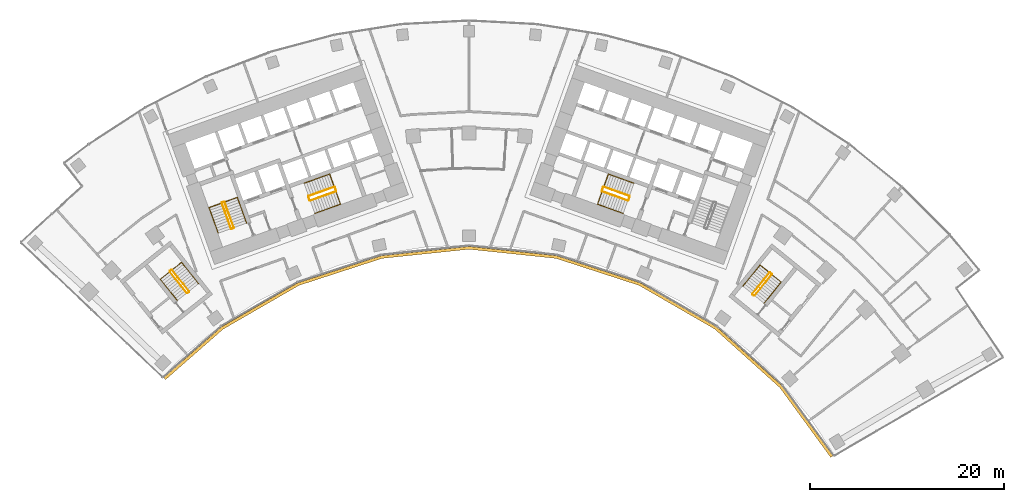
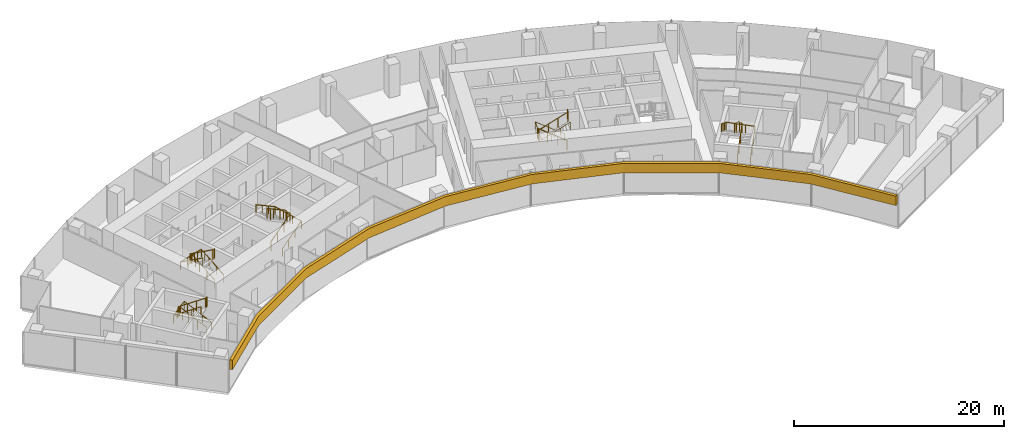
# One storey, part 18 of 19: 15 railings, 1 covering.
"""IFC4 building model written with IfcOpenShell, lengths in metres."""

from ifc_helpers import new_model, si_unit, direction, frame, origin, origin_2d, place, context, subcontext, project, spatial, polyline, circle, outline, extrude, material, layer, layer_set, type_object, element, save


model = new_model("IFC4")

# Units and contexts
model_context = context("Model", 3, precision=1e-05, world=origin(), true_north=direction((0.0, 1.0)))
body_context = subcontext(model_context, "Body", "Model", "MODEL_VIEW")
ifc_project = project(units=[si_unit("LENGTHUNIT", "METRE"), si_unit("AREAUNIT", "SQUARE_METRE"), si_unit("VOLUMEUNIT", "CUBIC_METRE"), si_unit("PLANEANGLEUNIT", "RADIAN"), si_unit("MASSUNIT", "GRAM", prefix="KILO")], contexts=[model_context])

# Site, building, storey
site_placement = place(None, origin())
site = spatial("IfcSite", under=ifc_project, at=site_placement, CompositionType="ELEMENT")
building_placement = place(site_placement, origin())
building = spatial("IfcBuilding", under=site, at=building_placement, Name="Stone Belt Terrace Tower", CompositionType="ELEMENT")
storey_placement = place(building_placement, frame((0.0, 0.0, 128.800048828125)))
storey = spatial("IfcBuildingStorey", under=building, at=storey_placement, Name="L31", CompositionType="ELEMENT", Elevation=128.800048828125)

# Railings
ifc_material_1 = material(Name="Structural steel C345", Category="steel")
railing_type_1 = type_object("IfcRailingType", Name="Stair guard 1100", PredefinedType="GUARDRAIL", material=ifc_material_1)
railing_1_placement = place(storey_placement, frame((-24.2119140625, 45.276123046875, 0.172607421875)))
element("IfcRailing", 1, at=railing_1_placement, inside=storey, type_object=railing_type_1, Name="L31 ST1A stair guard 1", PredefinedType="GUARDRAIL", context=body_context, shape_type="SweptSolid", body=[
    extrude(circle(Radius=0.02392578125, at=origin_2d()), frame((0.0, 0.0, 1.076171875), z_axis=(-0.288228637646, 0.800791768495, 0.525030280985), x_axis=(-0.940908529223, -0.338660803216, 0.0)), (0.0, 0.0, 1.0), 3.289794921875),
    extrude(circle(Radius=0.02392578125, at=origin_2d()), frame((-0.9482421875, 2.634521484375, 2.80322265625), z_axis=(-0.905209821074, 0.424964916, 0.0), x_axis=(-0.424964916, -0.905209821074, 0.0)), (0.0, 0.0, 1.0), 0.070556640625),
    extrude(circle(Radius=0.02392578125, at=origin_2d()), frame((-1.01220703125, 2.66455078125, 2.80322265625), z_axis=(-0.941105063269, -0.338114270461, 0.0), x_axis=(0.338114270461, -0.941105063269, 0.0)), (0.0, 0.0, 1.0), 0.199951171875),
    extrude(circle(Radius=0.02099609375, at=origin_2d()), origin(), (0.0, 0.0, 1.0), 1.052001953125),
    extrude(circle(Radius=0.02099609375, at=origin_2d()), frame((-0.316162109375, 0.878173828125, 0.57568359375)), (0.0, 0.0, 1.0), 1.052001953125),
    extrude(circle(Radius=0.02099609375, at=origin_2d()), frame((-0.632080078125, 1.75634765625, 1.151611328125)), (0.0, 0.0, 1.0), 1.052001953125),
    extrude(circle(Radius=0.02099609375, at=origin_2d()), frame((-0.9482421875, 2.634521484375, 1.727294921875)), (0.0, 0.0, 1.0), 1.052001953125),
    extrude(circle(Radius=0.02099609375, at=origin_2d()), frame((-1.01220703125, 2.66455078125, 1.727294921875)), (0.0, 0.0, 1.0), 1.052001953125),
    extrude(circle(Radius=0.02099609375, at=origin_2d()), frame((-1.200439453125, 2.596923828125, 1.727294921875)), (0.0, 0.0, 1.0), 1.052001953125),
])
railing_2_placement = place(storey_placement, frame((-25.4423828125, 47.80908203125, 2.07275390625)))
element("IfcRailing", 2, at=railing_2_placement, inside=storey, type_object=railing_type_1, Name="L31 ST1A stair guard 2", PredefinedType="GUARDRAIL", context=body_context, shape_type="SweptSolid", body=[
    extrude(circle(Radius=0.02392578125, at=origin_2d()), frame((0.0, 0.0, 1.076171875), z_axis=(0.288228637646, -0.800791768495, 0.525030280985), x_axis=(0.940908529223, 0.338660803216, 0.0)), (0.0, 0.0, 1.0), 3.289794921875),
    extrude(circle(Radius=0.02392578125, at=origin_2d()), frame((0.9482421875, -2.634521484375, 2.80322265625), z_axis=(0.903878284585, -0.427789722475, 0.0), x_axis=(0.427789722475, 0.903878284585, 0.0)), (0.0, 0.0, 1.0), 0.07080078125),
    extrude(circle(Radius=0.02392578125, at=origin_2d()), frame((1.01220703125, -2.664794921875, 2.80322265625), z_axis=(0.940575576748, 0.339584429008, 0.0), x_axis=(-0.339584429008, 0.940575576748, 0.0)), (0.0, 0.0, 1.0), 0.199951171875),
    extrude(circle(Radius=0.02099609375, at=origin_2d()), origin(), (0.0, 0.0, 1.0), 1.052001953125),
    extrude(circle(Radius=0.02099609375, at=origin_2d()), frame((0.316162109375, -0.878173828125, 0.57568359375)), (0.0, 0.0, 1.0), 1.052001953125),
    extrude(circle(Radius=0.02099609375, at=origin_2d()), frame((0.632080078125, -1.75634765625, 1.151611328125)), (0.0, 0.0, 1.0), 1.052001953125),
    extrude(circle(Radius=0.02099609375, at=origin_2d()), frame((0.9482421875, -2.634521484375, 1.727294921875)), (0.0, 0.0, 1.0), 1.052001953125),
    extrude(circle(Radius=0.02099609375, at=origin_2d()), frame((1.01220703125, -2.664794921875, 1.727294921875)), (0.0, 0.0, 1.0), 1.052001953125),
    extrude(circle(Radius=0.02099609375, at=origin_2d()), frame((1.2001953125, -2.596923828125, 1.727294921875)), (0.0, 0.0, 1.0), 1.052001953125),
])
railing_3_placement = place(storey_placement, frame((-16.33837890625, 48.056640625, 0.172607421875)))
element("IfcRailing", 3, at=railing_3_placement, inside=storey, type_object=railing_type_1, Name="L31 ST2A stair guard 1", PredefinedType="GUARDRAIL", context=body_context, shape_type="SweptSolid", body=[
    extrude(circle(Radius=0.02392578125, at=origin_2d()), frame((0.0, 0.0, 1.076171875), z_axis=(0.800808895155, 0.288160591223, 0.52504150989), x_axis=(-0.338583606334, 0.940936311087, 0.0)), (0.0, 0.0, 1.0), 3.289794921875),
    extrude(circle(Radius=0.02392578125, at=origin_2d()), frame((2.634521484375, 0.947998046875, 2.80322265625), z_axis=(0.427789722475, 0.903878284585, 0.0), x_axis=(-0.903878284585, 0.427789722475, 0.0)), (0.0, 0.0, 1.0), 0.07080078125),
    extrude(circle(Radius=0.02392578125, at=origin_2d()), frame((2.664794921875, 1.011962890625, 2.80322265625), z_axis=(-0.338654645739, 0.940910745459, 0.0), x_axis=(-0.940910745459, -0.338654645739, 0.0)), (0.0, 0.0, 1.0), 0.400146484375),
    extrude(circle(Radius=0.02099609375, at=origin_2d()), origin(), (0.0, 0.0, 1.0), 1.052001953125),
    extrude(circle(Radius=0.02099609375, at=origin_2d()), frame((0.878173828125, 0.31591796875, 0.57568359375)), (0.0, 0.0, 1.0), 1.052001953125),
    extrude(circle(Radius=0.02099609375, at=origin_2d()), frame((1.75634765625, 0.632080078125, 1.151611328125)), (0.0, 0.0, 1.0), 1.052001953125),
    extrude(circle(Radius=0.02099609375, at=origin_2d()), frame((2.634521484375, 0.947998046875, 1.727294921875)), (0.0, 0.0, 1.0), 1.052001953125),
    extrude(circle(Radius=0.02099609375, at=origin_2d()), frame((2.664794921875, 1.011962890625, 1.727294921875)), (0.0, 0.0, 1.0), 1.052001953125),
    extrude(circle(Radius=0.02099609375, at=origin_2d()), frame((2.529296875, 1.388427734375, 1.727294921875)), (0.0, 0.0, 1.0), 1.052001953125),
])
railing_4_placement = place(storey_placement, frame((-13.873046875, 49.47509765625, 2.07275390625)))
element("IfcRailing", 4, at=railing_4_placement, inside=storey, type_object=railing_type_1, Name="L31 ST2A stair guard 2", PredefinedType="GUARDRAIL", context=body_context, shape_type="SweptSolid", body=[
    extrude(circle(Radius=0.02392578125, at=origin_2d()), frame((0.0, 0.0, 1.076171875), z_axis=(-0.800808895155, -0.288160591223, 0.52504150989), x_axis=(0.338583606334, -0.940936311087, 0.0)), (0.0, 0.0, 1.0), 3.289794921875),
    extrude(circle(Radius=0.02392578125, at=origin_2d()), frame((-2.634521484375, -0.947998046875, 2.80322265625), z_axis=(-0.427789722475, -0.903878284585, 0.0), x_axis=(0.903878284585, -0.427789722475, 0.0)), (0.0, 0.0, 1.0), 0.07080078125),
    extrude(circle(Radius=0.02392578125, at=origin_2d()), frame((-2.664794921875, -1.011962890625, 2.80322265625), z_axis=(0.338654645739, -0.940910745459, 0.0), x_axis=(0.940910745459, 0.338654645739, 0.0)), (0.0, 0.0, 1.0), 0.400146484375),
    extrude(circle(Radius=0.02099609375, at=origin_2d()), origin(), (0.0, 0.0, 1.0), 1.052001953125),
    extrude(circle(Radius=0.02099609375, at=origin_2d()), frame((-0.878173828125, -0.31591796875, 0.57568359375)), (0.0, 0.0, 1.0), 1.052001953125),
    extrude(circle(Radius=0.02099609375, at=origin_2d()), frame((-1.75634765625, -0.632080078125, 1.151611328125)), (0.0, 0.0, 1.0), 1.052001953125),
    extrude(circle(Radius=0.02099609375, at=origin_2d()), frame((-2.634521484375, -0.947998046875, 1.727294921875)), (0.0, 0.0, 1.0), 1.052001953125),
    extrude(circle(Radius=0.02099609375, at=origin_2d()), frame((-2.664794921875, -1.011962890625, 1.727294921875)), (0.0, 0.0, 1.0), 1.052001953125),
    extrude(circle(Radius=0.02099609375, at=origin_2d()), frame((-2.529296875, -1.388427734375, 1.727294921875)), (0.0, 0.0, 1.0), 1.052001953125),
])
railing_5_placement = place(storey_placement, frame((16.507568359375, 48.527099609375, 0.172607421875)))
element("IfcRailing", 5, at=railing_5_placement, inside=storey, type_object=railing_type_1, Name="L31 ST2B stair guard 1", PredefinedType="GUARDRAIL", context=body_context, shape_type="SweptSolid", body=[
    extrude(circle(Radius=0.02392578125, at=origin_2d()), frame((0.0, 0.0, 1.076171875), z_axis=(-0.800808895155, 0.288160591223, 0.52504150989), x_axis=(-0.338583606334, -0.940936311087, 0.0)), (0.0, 0.0, 1.0), 3.289794921875),
    extrude(circle(Radius=0.02392578125, at=origin_2d()), frame((-2.634521484375, 0.947998046875, 2.80322265625), z_axis=(-0.905209821074, -0.424964916, 0.0), x_axis=(0.424964916, -0.905209821074, 0.0)), (0.0, 0.0, 1.0), 0.070556640625),
    extrude(circle(Radius=0.02392578125, at=origin_2d()), frame((-2.698486328125, 0.91796875, 2.80322265625), z_axis=(-0.338654645739, -0.940910745459, 0.0), x_axis=(0.940910745459, -0.338654645739, 0.0)), (0.0, 0.0, 1.0), 0.400146484375),
    extrude(circle(Radius=0.02099609375, at=origin_2d()), origin(), (0.0, 0.0, 1.0), 1.052001953125),
    extrude(circle(Radius=0.02099609375, at=origin_2d()), frame((-0.878173828125, 0.31591796875, 0.57568359375)), (0.0, 0.0, 1.0), 1.052001953125),
    extrude(circle(Radius=0.02099609375, at=origin_2d()), frame((-1.75634765625, 0.632080078125, 1.151611328125)), (0.0, 0.0, 1.0), 1.052001953125),
    extrude(circle(Radius=0.02099609375, at=origin_2d()), frame((-2.634521484375, 0.947998046875, 1.727294921875)), (0.0, 0.0, 1.0), 1.052001953125),
    extrude(circle(Radius=0.02099609375, at=origin_2d()), frame((-2.698486328125, 0.91796875, 1.727294921875)), (0.0, 0.0, 1.0), 1.052001953125),
    extrude(circle(Radius=0.02099609375, at=origin_2d()), frame((-2.833984375, 0.54150390625, 1.727294921875)), (0.0, 0.0, 1.0), 1.052001953125),
])
railing_6_placement = place(storey_placement, frame((13.703857421875, 49.004638671875, 2.07275390625)))
element("IfcRailing", 6, at=railing_6_placement, inside=storey, type_object=railing_type_1, Name="L31 ST2B stair guard 2", PredefinedType="GUARDRAIL", context=body_context, shape_type="SweptSolid", body=[
    extrude(circle(Radius=0.02392578125, at=origin_2d()), frame((0.0, 0.0, 1.076171875), z_axis=(0.800808895155, -0.288160591223, 0.52504150989), x_axis=(0.338583606334, 0.940936311087, 0.0)), (0.0, 0.0, 1.0), 3.289794921875),
    extrude(circle(Radius=0.02392578125, at=origin_2d()), frame((2.634521484375, -0.947998046875, 2.80322265625), z_axis=(0.905209821074, 0.424964916, 0.0), x_axis=(-0.424964916, 0.905209821074, 0.0)), (0.0, 0.0, 1.0), 0.070556640625),
    extrude(circle(Radius=0.02392578125, at=origin_2d()), frame((2.698486328125, -0.91796875, 2.80322265625), z_axis=(0.338654645739, 0.940910745459, 0.0), x_axis=(-0.940910745459, 0.338654645739, 0.0)), (0.0, 0.0, 1.0), 0.400146484375),
    extrude(circle(Radius=0.02099609375, at=origin_2d()), origin(), (0.0, 0.0, 1.0), 1.052001953125),
    extrude(circle(Radius=0.02099609375, at=origin_2d()), frame((0.878173828125, -0.31591796875, 0.57568359375)), (0.0, 0.0, 1.0), 1.052001953125),
    extrude(circle(Radius=0.02099609375, at=origin_2d()), frame((1.75634765625, -0.632080078125, 1.151611328125)), (0.0, 0.0, 1.0), 1.052001953125),
    extrude(circle(Radius=0.02099609375, at=origin_2d()), frame((2.634521484375, -0.947998046875, 1.727294921875)), (0.0, 0.0, 1.0), 1.052001953125),
    extrude(circle(Radius=0.02099609375, at=origin_2d()), frame((2.698486328125, -0.91796875, 1.727294921875)), (0.0, 0.0, 1.0), 1.052001953125),
    extrude(circle(Radius=0.02099609375, at=origin_2d()), frame((2.833984375, -0.54150390625, 1.727294921875)), (0.0, 0.0, 1.0), 1.052001953125),
])
railing_7_placement = place(storey_placement, frame((-28.814208984375, 38.734619140625, 0.172607421875)))
element("IfcRailing", 7, at=railing_7_placement, inside=storey, type_object=railing_type_1, Name="L31 ST3A stair guard 1", PredefinedType="GUARDRAIL", context=body_context, shape_type="SweptSolid", body=[
    extrude(circle(Radius=0.02392578125, at=origin_2d()), frame((0.0, 0.0, 1.076171875), z_axis=(-0.530306321799, 0.665665785969, 0.525037395288), x_axis=(-0.782143211408, -0.623098705543, 0.0)), (0.0, 0.0, 1.0), 3.289794921875),
    extrude(circle(Radius=0.02392578125, at=origin_2d()), frame((-1.74462890625, 2.18994140625, 2.80322265625), z_axis=(-0.993883734674, 0.110431526075, 0.0), x_axis=(-0.110431526075, -0.993883734674, 0.0)), (0.0, 0.0, 1.0), 0.07080078125),
    extrude(circle(Radius=0.02392578125, at=origin_2d()), frame((-1.81494140625, 2.19775390625, 2.80322265625), z_axis=(-0.782533463299, -0.622608527742, 0.0), x_axis=(0.622608527742, -0.782533463299, 0.0)), (0.0, 0.0, 1.0), 0.199951171875),
    extrude(circle(Radius=0.02099609375, at=origin_2d()), origin(), (0.0, 0.0, 1.0), 1.052001953125),
    extrude(circle(Radius=0.02099609375, at=origin_2d()), frame((-0.58154296875, 0.72998046875, 0.57568359375)), (0.0, 0.0, 1.0), 1.052001953125),
    extrude(circle(Radius=0.02099609375, at=origin_2d()), frame((-1.1630859375, 1.4599609375, 1.151611328125)), (0.0, 0.0, 1.0), 1.052001953125),
    extrude(circle(Radius=0.02099609375, at=origin_2d()), frame((-1.74462890625, 2.18994140625, 1.727294921875)), (0.0, 0.0, 1.0), 1.052001953125),
    extrude(circle(Radius=0.02099609375, at=origin_2d()), frame((-1.81494140625, 2.19775390625, 1.727294921875)), (0.0, 0.0, 1.0), 1.052001953125),
    extrude(circle(Radius=0.02099609375, at=origin_2d()), frame((-1.971435546875, 2.0732421875, 1.727294921875)), (0.0, 0.0, 1.0), 1.052001953125),
])
railing_8_placement = place(storey_placement, frame((-30.793701171875, 40.737548828125, 2.07275390625)))
element("IfcRailing", 8, at=railing_8_placement, inside=storey, type_object=railing_type_1, Name="L31 ST3A stair guard 2", PredefinedType="GUARDRAIL", context=body_context, shape_type="SweptSolid", body=[
    extrude(circle(Radius=0.02392578125, at=origin_2d()), frame((0.0, 0.0, 1.076171875), z_axis=(0.530359659125, -0.665639588968, 0.525016732659), x_axis=(0.782100716982, 0.62315204284, 0.0)), (0.0, 0.0, 1.0), 3.2900390625),
    extrude(circle(Radius=0.02392578125, at=origin_2d()), frame((1.744873046875, -2.18994140625, 2.80322265625), z_axis=(0.993499272973, -0.113838458361, 0.0), x_axis=(0.113838458361, 0.993499272973, 0.0)), (0.0, 0.0, 1.0), 0.07080078125),
    extrude(circle(Radius=0.02392578125, at=origin_2d()), frame((1.815185546875, -2.197998046875, 2.80322265625), z_axis=(0.781464082609, 0.623950228458, 0.0), x_axis=(-0.623950228458, 0.781464082609, 0.0)), (0.0, 0.0, 1.0), 0.199951171875),
    extrude(circle(Radius=0.02099609375, at=origin_2d()), origin(), (0.0, 0.0, 1.0), 1.052001953125),
    extrude(circle(Radius=0.02099609375, at=origin_2d()), frame((0.58154296875, -0.72998046875, 0.57568359375)), (0.0, 0.0, 1.0), 1.052001953125),
    extrude(circle(Radius=0.02099609375, at=origin_2d()), frame((1.163330078125, -1.4599609375, 1.151611328125)), (0.0, 0.0, 1.0), 1.052001953125),
    extrude(circle(Radius=0.02099609375, at=origin_2d()), frame((1.744873046875, -2.18994140625, 1.727294921875)), (0.0, 0.0, 1.0), 1.052001953125),
    extrude(circle(Radius=0.02099609375, at=origin_2d()), frame((1.815185546875, -2.197998046875, 1.727294921875)), (0.0, 0.0, 1.0), 1.052001953125),
    extrude(circle(Radius=0.02099609375, at=origin_2d()), frame((1.971435546875, -2.0732421875, 1.727294921875)), (0.0, 0.0, 1.0), 1.052001953125),
])
railing_9_placement = place(storey_placement, frame((29.39794921875, 38.281982421875, 0.172607421875)))
element("IfcRailing", 9, at=railing_9_placement, inside=storey, type_object=railing_type_1, Name="L31 ST3B stair guard 1", PredefinedType="GUARDRAIL", context=body_context, shape_type="SweptSolid", body=[
    extrude(circle(Radius=0.02392578125, at=origin_2d()), frame((0.0, 0.0, 1.076171875), z_axis=(0.536393061503, 0.660769759217, 0.525038864158), x_axis=(-0.776391310223, 0.630251166924, 0.0)), (0.0, 0.0, 1.0), 3.289794921875),
    extrude(circle(Radius=0.02392578125, at=origin_2d()), frame((1.7646484375, 2.173828125, 2.80322265625), z_axis=(-0.103251414163, 0.994655289773, 0.0), x_axis=(-0.994655289773, -0.103251414163, 0.0)), (0.0, 0.0, 1.0), 0.071044921875),
    extrude(circle(Radius=0.02392578125, at=origin_2d()), frame((1.75732421875, 2.244384765625, 2.80322265625), z_axis=(-0.776561986372, 0.630040856868, 0.0), x_axis=(-0.630040856868, -0.776561986372, 0.0)), (0.0, 0.0, 1.0), 0.199951171875),
    extrude(circle(Radius=0.02099609375, at=origin_2d()), origin(), (0.0, 0.0, 1.0), 1.052001953125),
    extrude(circle(Radius=0.02099609375, at=origin_2d()), frame((0.588134765625, 0.724609375, 0.57568359375)), (0.0, 0.0, 1.0), 1.052001953125),
    extrude(circle(Radius=0.02099609375, at=origin_2d()), frame((1.176513671875, 1.44921875, 1.151611328125)), (0.0, 0.0, 1.0), 1.052001953125),
    extrude(circle(Radius=0.02099609375, at=origin_2d()), frame((1.7646484375, 2.173828125, 1.727294921875)), (0.0, 0.0, 1.0), 1.052001953125),
    extrude(circle(Radius=0.02099609375, at=origin_2d()), frame((1.75732421875, 2.244384765625, 1.727294921875)), (0.0, 0.0, 1.0), 1.052001953125),
    extrude(circle(Radius=0.02099609375, at=origin_2d()), frame((1.60205078125, 2.370361328125, 1.727294921875)), (0.0, 0.0, 1.0), 1.052001953125),
])
railing_10_placement = place(storey_placement, frame((30.9296875, 40.64501953125, 2.07275390625)))
element("IfcRailing", 10, at=railing_10_placement, inside=storey, type_object=railing_type_1, Name="L31 ST3B stair guard 2", PredefinedType="GUARDRAIL", context=body_context, shape_type="SweptSolid", body=[
    extrude(circle(Radius=0.02392578125, at=origin_2d()), frame((0.0, 0.0, 1.076171875), z_axis=(-0.536366759382, -0.660811565066, 0.525013118792), x_axis=(0.776425942316, -0.630208502084, 0.0)), (0.0, 0.0, 1.0), 3.2900390625),
    extrude(circle(Radius=0.02392578125, at=origin_2d()), frame((-1.7646484375, -2.174072265625, 2.80322265625), z_axis=(0.103606084259, -0.994618408891, 0.0), x_axis=(0.994618408891, 0.103606084259, 0.0)), (0.0, 0.0, 1.0), 0.07080078125),
    extrude(circle(Radius=0.02392578125, at=origin_2d()), frame((-1.75732421875, -2.244384765625, 2.80322265625), z_axis=(0.776561986372, -0.630040856868, 0.0), x_axis=(0.630040856868, 0.776561986372, 0.0)), (0.0, 0.0, 1.0), 0.199951171875),
    extrude(circle(Radius=0.02099609375, at=origin_2d()), origin(), (0.0, 0.0, 1.0), 1.052001953125),
    extrude(circle(Radius=0.02099609375, at=origin_2d()), frame((-0.588134765625, -0.724609375, 0.57568359375)), (0.0, 0.0, 1.0), 1.052001953125),
    extrude(circle(Radius=0.02099609375, at=origin_2d()), frame((-1.176513671875, -1.449462890625, 1.151611328125)), (0.0, 0.0, 1.0), 1.052001953125),
    extrude(circle(Radius=0.02099609375, at=origin_2d()), frame((-1.7646484375, -2.174072265625, 1.727294921875)), (0.0, 0.0, 1.0), 1.052001953125),
    extrude(circle(Radius=0.02099609375, at=origin_2d()), frame((-1.75732421875, -2.244384765625, 1.727294921875)), (0.0, 0.0, 1.0), 1.052001953125),
    extrude(circle(Radius=0.02099609375, at=origin_2d()), frame((-1.60205078125, -2.370361328125, 1.727294921875)), (0.0, 0.0, 1.0), 1.052001953125),
])
railing_type_2 = type_object("IfcRailingType", Name="Stair handrail 900", PredefinedType="HANDRAIL", material=ifc_material_1)
railing_11_placement = place(storey_placement, frame((-22.894775390625, 45.750244140625, 0.172607421875)))
element("IfcRailing", 11, at=railing_11_placement, inside=storey, type_object=railing_type_2, Name="L31 ST1A stair handrail 1", PredefinedType="HANDRAIL", context=body_context, shape_type="SweptSolid", body=[
    extrude(circle(Radius=0.02392578125, at=origin_2d()), frame((0.0, 0.0, 0.8759765625), z_axis=(-0.288160591223, 0.800808895155, 0.52504150989), x_axis=(-0.940936311087, -0.338583606334, 0.0)), (0.0, 0.0, 1.0), 3.289794921875),
    extrude(circle(Radius=0.02392578125, at=origin_2d()), frame((-0.947998046875, 2.634521484375, 2.60302734375), z_axis=(-0.939460408074, -0.338105101667, 0.055669398135), x_axis=(0.338630230244, -0.940919532779, 0.0)), (0.0, 0.0, 1.0), 3.10498046875),
    extrude(circle(Radius=0.02392578125, at=origin_2d()), frame((-3.864990234375, 1.584716796875, 2.77587890625), z_axis=(0.288228637646, -0.800791768495, 0.525030280985), x_axis=(0.940908529223, 0.338660803216, 0.0)), (0.0, 0.0, 1.0), 3.289794921875),
    extrude(circle(Radius=0.02099609375, at=origin_2d()), origin(), (0.0, 0.0, 1.0), 0.851806640625),
    extrude(circle(Radius=0.02099609375, at=origin_2d()), frame((-0.31591796875, 0.878173828125, 0.57568359375)), (0.0, 0.0, 1.0), 0.851806640625),
    extrude(circle(Radius=0.02099609375, at=origin_2d()), frame((-0.632080078125, 1.75634765625, 1.151611328125)), (0.0, 0.0, 1.0), 0.851806640625),
    extrude(circle(Radius=0.02099609375, at=origin_2d()), frame((-0.947998046875, 2.634521484375, 1.727294921875)), (0.0, 0.0, 1.0), 0.851806640625),
    extrude(circle(Radius=0.02099609375, at=origin_2d()), frame((-1.92041015625, 2.28466796875, 1.784912109375)), (0.0, 0.0, 1.0), 0.851806640625),
    extrude(circle(Radius=0.02099609375, at=origin_2d()), frame((-2.892578125, 1.9345703125, 1.842529296875)), (0.0, 0.0, 1.0), 0.851806640625),
    extrude(circle(Radius=0.02099609375, at=origin_2d()), frame((-3.864990234375, 1.584716796875, 1.900146484375)), (0.0, 0.0, 1.0), 0.851806640625),
    extrude(circle(Radius=0.02099609375, at=origin_2d()), frame((-3.548828125, 0.70654296875, 2.475830078125)), (0.0, 0.0, 1.0), 0.851806640625),
    extrude(circle(Radius=0.02099609375, at=origin_2d()), frame((-3.23291015625, -0.171630859375, 3.0517578125)), (0.0, 0.0, 1.0), 0.851806640625),
    extrude(circle(Radius=0.02099609375, at=origin_2d()), frame((-2.916748046875, -1.0498046875, 3.62744140625)), (0.0, 0.0, 1.0), 0.851806640625),
])
railing_12_placement = place(storey_placement, frame((-15.8642578125, 46.7392578125, 0.172607421875)))
element("IfcRailing", 12, at=railing_12_placement, inside=storey, type_object=railing_type_2, Name="L31 ST2A stair handrail 1", PredefinedType="HANDRAIL", context=body_context, shape_type="SweptSolid", body=[
    extrude(circle(Radius=0.02392578125, at=origin_2d()), frame((0.0, 0.0, 0.8759765625), z_axis=(0.800791768495, 0.288228637646, 0.525030280985), x_axis=(-0.338660803216, 0.940908529223, 0.0)), (0.0, 0.0, 1.0), 3.289794921875),
    extrude(circle(Radius=0.02392578125, at=origin_2d()), frame((2.634521484375, 0.9482421875, 2.60302734375), z_axis=(-0.338158948057, 0.939634149308, 0.052308615955), x_axis=(-0.940922302781, -0.338622533404, 0.0)), (0.0, 0.0, 1.0), 3.304443359375),
    extrude(circle(Radius=0.02392578125, at=origin_2d()), frame((1.51708984375, 4.05322265625, 2.77587890625), z_axis=(-0.800791768495, -0.288228637646, 0.525030280985), x_axis=(0.338660803216, -0.940908529223, 0.0)), (0.0, 0.0, 1.0), 3.289794921875),
    extrude(circle(Radius=0.02099609375, at=origin_2d()), origin(), (0.0, 0.0, 1.0), 0.851806640625),
    extrude(circle(Radius=0.02099609375, at=origin_2d()), frame((0.878173828125, 0.316162109375, 0.57568359375)), (0.0, 0.0, 1.0), 0.851806640625),
    extrude(circle(Radius=0.02099609375, at=origin_2d()), frame((1.75634765625, 0.632080078125, 1.151611328125)), (0.0, 0.0, 1.0), 0.851806640625),
    extrude(circle(Radius=0.02099609375, at=origin_2d()), frame((2.634521484375, 0.9482421875, 1.727294921875)), (0.0, 0.0, 1.0), 0.851806640625),
    extrude(circle(Radius=0.02099609375, at=origin_2d()), frame((2.261962890625, 1.983154296875, 1.784912109375)), (0.0, 0.0, 1.0), 0.851806640625),
    extrude(circle(Radius=0.02099609375, at=origin_2d()), frame((1.8896484375, 3.018310546875, 1.842529296875)), (0.0, 0.0, 1.0), 0.851806640625),
    extrude(circle(Radius=0.02099609375, at=origin_2d()), frame((1.51708984375, 4.05322265625, 1.900146484375)), (0.0, 0.0, 1.0), 0.851806640625),
    extrude(circle(Radius=0.02099609375, at=origin_2d()), frame((0.638916015625, 3.737060546875, 2.475830078125)), (0.0, 0.0, 1.0), 0.851806640625),
    extrude(circle(Radius=0.02099609375, at=origin_2d()), frame((-0.2392578125, 3.421142578125, 3.0517578125)), (0.0, 0.0, 1.0), 0.851806640625),
    extrude(circle(Radius=0.02099609375, at=origin_2d()), frame((-1.117431640625, 3.10498046875, 3.62744140625)), (0.0, 0.0, 1.0), 0.851806640625),
])
railing_13_placement = place(storey_placement, frame((16.981689453125, 49.84423828125, 0.172607421875)))
element("IfcRailing", 13, at=railing_13_placement, inside=storey, type_object=railing_type_2, Name="L31 ST2B stair handrail 1", PredefinedType="HANDRAIL", context=body_context, shape_type="SweptSolid", body=[
    extrude(circle(Radius=0.02392578125, at=origin_2d()), frame((0.0, 0.0, 0.8759765625), z_axis=(-0.800791768495, 0.288228637646, 0.525030280985), x_axis=(-0.338660803216, -0.940908529223, 0.0)), (0.0, 0.0, 1.0), 3.289794921875),
    extrude(circle(Radius=0.02392578125, at=origin_2d()), frame((-2.634521484375, 0.9482421875, 2.60302734375), z_axis=(-0.338158948057, -0.939634149308, 0.052308615955), x_axis=(0.940922302781, -0.338622533404, 0.0)), (0.0, 0.0, 1.0), 3.304443359375),
    extrude(circle(Radius=0.02392578125, at=origin_2d()), frame((-3.751953125, -2.15673828125, 2.77587890625), z_axis=(0.800791768495, -0.288228637646, 0.525030280985), x_axis=(0.338660803216, 0.940908529223, 0.0)), (0.0, 0.0, 1.0), 3.289794921875),
    extrude(circle(Radius=0.02099609375, at=origin_2d()), origin(), (0.0, 0.0, 1.0), 0.851806640625),
    extrude(circle(Radius=0.02099609375, at=origin_2d()), frame((-0.878173828125, 0.316162109375, 0.57568359375)), (0.0, 0.0, 1.0), 0.851806640625),
    extrude(circle(Radius=0.02099609375, at=origin_2d()), frame((-1.75634765625, 0.632080078125, 1.151611328125)), (0.0, 0.0, 1.0), 0.851806640625),
    extrude(circle(Radius=0.02099609375, at=origin_2d()), frame((-2.634521484375, 0.9482421875, 1.727294921875)), (0.0, 0.0, 1.0), 0.851806640625),
    extrude(circle(Radius=0.02099609375, at=origin_2d()), frame((-3.007080078125, -0.086669921875, 1.784912109375)), (0.0, 0.0, 1.0), 0.851806640625),
    extrude(circle(Radius=0.02099609375, at=origin_2d()), frame((-3.37939453125, -1.121826171875, 1.842529296875)), (0.0, 0.0, 1.0), 0.851806640625),
    extrude(circle(Radius=0.02099609375, at=origin_2d()), frame((-3.751953125, -2.15673828125, 1.900146484375)), (0.0, 0.0, 1.0), 0.851806640625),
    extrude(circle(Radius=0.02099609375, at=origin_2d()), frame((-2.873779296875, -2.472900390625, 2.475830078125)), (0.0, 0.0, 1.0), 0.851806640625),
    extrude(circle(Radius=0.02099609375, at=origin_2d()), frame((-1.99560546875, -2.788818359375, 3.0517578125)), (0.0, 0.0, 1.0), 0.851806640625),
    extrude(circle(Radius=0.02099609375, at=origin_2d()), frame((-1.117431640625, -3.10498046875, 3.62744140625)), (0.0, 0.0, 1.0), 0.851806640625),
])
railing_14_placement = place(storey_placement, frame((-27.836669921875, 39.513427734375, 0.172607421875)))
element("IfcRailing", 14, at=railing_14_placement, inside=storey, type_object=railing_type_2, Name="L31 ST3A stair handrail 1", PredefinedType="HANDRAIL", context=body_context, shape_type="SweptSolid", body=[
    extrude(circle(Radius=0.02392578125, at=origin_2d()), frame((0.0, 0.0, 0.8759765625), z_axis=(-0.530306321799, 0.665665785969, 0.525037395288), x_axis=(-0.782143211408, -0.623098705543, 0.0)), (0.0, 0.0, 1.0), 3.289794921875),
    extrude(circle(Radius=0.02392578125, at=origin_2d()), frame((-1.74462890625, 2.18994140625, 2.60302734375), z_axis=(-0.78065703189, -0.621914732429, 0.061617076765), x_axis=(0.623098705543, -0.782143211408, 0.0)), (0.0, 0.0, 1.0), 2.80517578125),
    extrude(circle(Radius=0.02392578125, at=origin_2d()), frame((-3.9345703125, 0.4453125, 2.77587890625), z_axis=(0.530306321799, -0.665665785969, 0.525037395288), x_axis=(0.782143211408, 0.623098705543, 0.0)), (0.0, 0.0, 1.0), 3.289794921875),
    extrude(circle(Radius=0.02099609375, at=origin_2d()), origin(), (0.0, 0.0, 1.0), 0.851806640625),
    extrude(circle(Radius=0.02099609375, at=origin_2d()), frame((-0.58154296875, 0.72998046875, 0.57568359375)), (0.0, 0.0, 1.0), 0.851806640625),
    extrude(circle(Radius=0.02099609375, at=origin_2d()), frame((-1.1630859375, 1.4599609375, 1.151611328125)), (0.0, 0.0, 1.0), 0.851806640625),
    extrude(circle(Radius=0.02099609375, at=origin_2d()), frame((-1.74462890625, 2.18994140625, 1.727294921875)), (0.0, 0.0, 1.0), 0.851806640625),
    extrude(circle(Radius=0.02099609375, at=origin_2d()), frame((-2.474609375, 1.6083984375, 1.784912109375)), (0.0, 0.0, 1.0), 0.851806640625),
    extrude(circle(Radius=0.02099609375, at=origin_2d()), frame((-3.20458984375, 1.02685546875, 1.842529296875)), (0.0, 0.0, 1.0), 0.851806640625),
    extrude(circle(Radius=0.02099609375, at=origin_2d()), frame((-3.9345703125, 0.4453125, 1.900146484375)), (0.0, 0.0, 1.0), 0.851806640625),
    extrude(circle(Radius=0.02099609375, at=origin_2d()), frame((-3.35302734375, -0.28466796875, 2.475830078125)), (0.0, 0.0, 1.0), 0.851806640625),
    extrude(circle(Radius=0.02099609375, at=origin_2d()), frame((-2.771484375, -1.0146484375, 3.0517578125)), (0.0, 0.0, 1.0), 0.851806640625),
    extrude(circle(Radius=0.02099609375, at=origin_2d()), frame((-2.18994140625, -1.74462890625, 3.62744140625)), (0.0, 0.0, 1.0), 0.851806640625),
])
railing_15_placement = place(storey_placement, frame((30.36865234375, 37.494140625, 0.172607421875)))
element("IfcRailing", 15, at=railing_15_placement, inside=storey, type_object=railing_type_2, Name="L31 ST3B stair handrail 1", PredefinedType="HANDRAIL", context=body_context, shape_type="SweptSolid", body=[
    extrude(circle(Radius=0.02392578125, at=origin_2d()), frame((0.0, 0.0, 0.8759765625), z_axis=(0.536366759382, 0.660811565066, 0.525013118792), x_axis=(-0.776425942316, 0.630208502084, 0.0)), (0.0, 0.0, 1.0), 3.2900390625),
    extrude(circle(Radius=0.02392578125, at=origin_2d()), frame((1.7646484375, 2.174072265625, 2.60302734375), z_axis=(-0.774950814199, 0.629011171817, 0.061613158501), x_axis=(-0.630208502084, -0.776425942316, 0.0)), (0.0, 0.0, 1.0), 2.805419921875),
    extrude(circle(Radius=0.02392578125, at=origin_2d()), frame((-0.409423828125, 3.938720703125, 2.77587890625), z_axis=(-0.536366759382, -0.660811565066, 0.525013118792), x_axis=(0.776425942316, -0.630208502084, 0.0)), (0.0, 0.0, 1.0), 3.2900390625),
    extrude(circle(Radius=0.02099609375, at=origin_2d()), origin(), (0.0, 0.0, 1.0), 0.851806640625),
    extrude(circle(Radius=0.02099609375, at=origin_2d()), frame((0.588134765625, 0.724609375, 0.57568359375)), (0.0, 0.0, 1.0), 0.851806640625),
    extrude(circle(Radius=0.02099609375, at=origin_2d()), frame((1.176513671875, 1.449462890625, 1.151611328125)), (0.0, 0.0, 1.0), 0.851806640625),
    extrude(circle(Radius=0.02099609375, at=origin_2d()), frame((1.7646484375, 2.174072265625, 1.727294921875)), (0.0, 0.0, 1.0), 0.851806640625),
    extrude(circle(Radius=0.02099609375, at=origin_2d()), frame((1.0400390625, 2.76220703125, 1.784912109375)), (0.0, 0.0, 1.0), 0.851806640625),
    extrude(circle(Radius=0.02099609375, at=origin_2d()), frame((0.315185546875, 3.3505859375, 1.842529296875)), (0.0, 0.0, 1.0), 0.851806640625),
    extrude(circle(Radius=0.02099609375, at=origin_2d()), frame((-0.409423828125, 3.938720703125, 1.900146484375)), (0.0, 0.0, 1.0), 0.851806640625),
    extrude(circle(Radius=0.02099609375, at=origin_2d()), frame((-0.99755859375, 3.214111328125, 2.475830078125)), (0.0, 0.0, 1.0), 0.851806640625),
    extrude(circle(Radius=0.02099609375, at=origin_2d()), frame((-1.5859375, 2.4892578125, 3.0517578125)), (0.0, 0.0, 1.0), 0.851806640625),
    extrude(circle(Radius=0.02099609375, at=origin_2d()), frame((-2.174072265625, 1.7646484375, 3.62744140625)), (0.0, 0.0, 1.0), 0.851806640625),
])

# Covering
ifc_material_2 = material(Name="Terracotta coloured glazed ceramic", Category="masonry")
ifc_layer = layer(ifc_material_2, 0.300048828125)
ifc_layer_set = layer_set([ifc_layer], Name="Terracotta spandrel band 300 x 1100")
covering_type = type_object("IfcCoveringType", Name="Terracotta spandrel band 300 x 1100", PredefinedType="CLADDING", material=ifc_layer_set)
covering_placement = place(storey_placement, frame((0.0, 0.0, 2.699951171875)))
element("IfcCovering", 16, at=covering_placement, inside=storey, type_object=covering_type, Name="BAND L31", PredefinedType="CLADDING", context=body_context, shape_type="SweptSolid", body=[
    extrude(outline(polyline([(-31.434814453125, 29.851806640625), (-25.48095703125, 35.06982421875), (-17.631591796875, 39.6015625), (-9.0126953125, 42.40185546875), (0.0, 43.34912109375), (9.0126953125, 42.40185546875), (17.631591796875, 39.6015625), (25.47998046875, 35.0703125), (32.21484375, 29.006103515625), (37.47314453125, 21.795654296875), (37.230712890625, 21.618896484375), (31.99072265625, 28.80419921875), (25.302734375, 34.826171875), (17.509033203125, 39.325927734375), (8.9501953125, 42.10693359375), (0.0, 43.047607421875), (-8.9501953125, 42.10693359375), (-17.509033203125, 39.325927734375), (-25.305419921875, 34.82470703125), (-31.237060546875, 29.626220703125), (-31.434814453125, 29.851806640625)])), origin(), (0.0, 0.0, 1.0), 1.10009765625),
])

save(model, "model.ifc")
